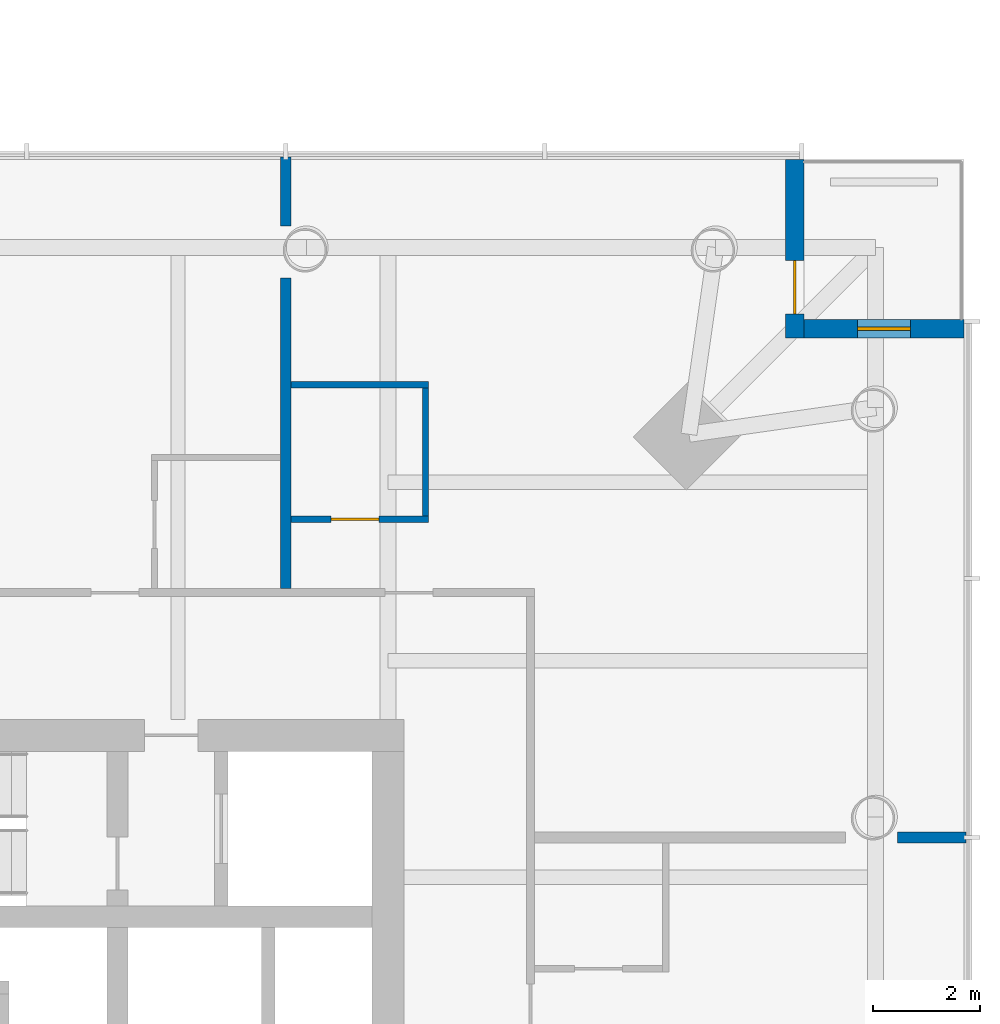
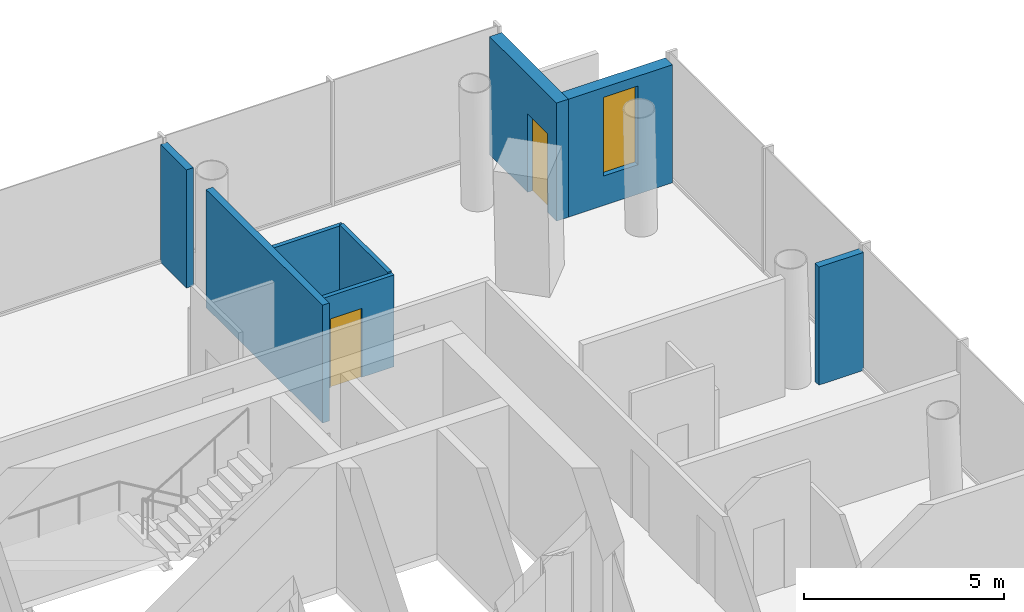
# One storey, part 16 of 26: 8 walls, 2 doors, 1 window, 3 openings.
"""IFC4 building model written with IfcOpenShell, lengths in metres."""

from ifc_helpers import new_model, si_unit, direction, frame, frame_2d, origin, place, context, subcontext, project, spatial, rectangle, extrude, material, layer, layer_set, type_object, element, fill, save


model = new_model("IFC4")

# Units and contexts
model_context = context("Model", 3, precision=1e-05, world=origin(), true_north=direction((0.0, 1.0)))
body_context = subcontext(model_context, "Body", "Model", "MODEL_VIEW")
ifc_project = project(units=[si_unit("LENGTHUNIT", "METRE"), si_unit("AREAUNIT", "SQUARE_METRE"), si_unit("VOLUMEUNIT", "CUBIC_METRE"), si_unit("PLANEANGLEUNIT", "RADIAN"), si_unit("MASSUNIT", "GRAM", prefix="KILO")], contexts=[model_context])

# Site, building, storey
site_placement = place(None, origin())
site = spatial("IfcSite", under=ifc_project, at=site_placement, CompositionType="ELEMENT")
building_placement = place(site_placement, origin())
building = spatial("IfcBuilding", under=site, at=building_placement, Name="Ostroluk Exchange", CompositionType="ELEMENT")
storey_placement = place(building_placement, frame((0.0, 0.0, 36.199951171875)))
storey = spatial("IfcBuildingStorey", under=building, at=storey_placement, Name="L08", CompositionType="ELEMENT", Elevation=36.199951171875)

# Wall, opening, door
ifc_material_1 = material(Name="Limestone", Category="masonry")
ifc_layer_1 = layer(ifc_material_1, 0.35009765625)
ifc_layer_set_1 = layer_set([ifc_layer_1], Name="Limestone facade wall 350")
wall_type_1 = type_object("IfcWallType", Name="Limestone facade wall 350", PredefinedType="SOLIDWALL", material=ifc_layer_set_1)
wall_1_placement = place(storey_placement, frame((133.824951171875, 66.0, 0.0), z_axis=(0.0, 0.0, 1.0), x_axis=(0.0, -1.0, 0.0)))
wall_1 = element("IfcWall", 1, at=wall_1_placement, inside=storey, type_object=wall_type_1, Name="Hotel tower NE corner wall L08 a", PredefinedType="SOLIDWALL", context=body_context, shape_type="SweptSolid", body=[
    extrude(rectangle(XDim=3.35009765625, YDim=0.35009765625, at=frame_2d((1.675048828125, 0.0))), origin(), (0.0, 0.0, 1.0), 3.60009765625),
])
opening_1_placement = place(wall_1_placement, frame((1.89990234375, 0.0, 0.0)))
opening_1 = element("IfcOpeningElement", 2, at=opening_1_placement, cuts=wall_1, Name="Opening D-B1", PredefinedType="OPENING", context=body_context, shape_type="SweptSolid", body=[
    extrude(rectangle(XDim=1.0, YDim=2.39990234375, at=frame_2d((0.5, 1.199951171875))), frame((0.0, 0.18505859375, 0.0), z_axis=(0.0, -1.0, 0.0), x_axis=(1.0, 0.0, 0.0)), (0.0, 0.0, 1.0), 0.3701171875),
])
ifc_material_2 = material(Name="Bronze framed glazed door", Category="aluminium")
door_type_1 = type_object("IfcDoorType", Name="Balcony door 1000 x 2400", OperationType="SINGLE_SWING_LEFT", PredefinedType="DOOR", material=ifc_material_2)
door_1_placement = place(opening_1_placement, origin())
door_1 = element("IfcDoor", 3, at=door_1_placement, inside=storey, type_object=door_type_1, Name="Hotel tower NE balcony door L08", OperationType="SINGLE_SWING_RIGHT", OverallHeight=2.39990234375, OverallWidth=1.0, PredefinedType="DOOR", context=body_context, shape_type="SweptSolid", body=[
    extrude(rectangle(XDim=1.0, YDim=2.39990234375, at=frame_2d((0.5, 1.199951171875))), frame((0.0, 0.02490234375, 0.0), z_axis=(0.0, -1.0, 0.0), x_axis=(1.0, 0.0, 0.0)), (0.0, 0.0, 1.0), 0.050048828125),
])
fill(opening_1, door_1)

# Wall, opening, window
wall_2_placement = place(storey_placement, frame((134.0, 62.824951171875, 0.0), z_axis=(0.0, 0.0, 1.0), x_axis=(1.0, 0.0, 0.0)))
wall_2 = element("IfcWall", 4, at=wall_2_placement, inside=storey, type_object=wall_type_1, Name="Hotel tower NE corner wall L08 b", PredefinedType="SOLIDWALL", context=body_context, shape_type="SweptSolid", body=[
    extrude(rectangle(XDim=3.0, YDim=0.35009765625, at=frame_2d((1.5, 0.0))), origin(), (0.0, 0.0, 1.0), 3.60009765625),
])
opening_2_placement = place(wall_2_placement, frame((1.0, 0.0, 0.89990234375)))
opening_2 = element("IfcOpeningElement", 5, at=opening_2_placement, cuts=wall_2, Name="Opening WN-L3", PredefinedType="OPENING", context=body_context, shape_type="SweptSolid", body=[
    extrude(rectangle(XDim=1.0, YDim=2.39990234375, at=frame_2d((0.5, 1.199951171875))), frame((0.0, 0.18505859375, 0.0), z_axis=(0.0, -1.0, 0.0), x_axis=(1.0, 0.0, 0.0)), (0.0, 0.0, 1.0), 0.3701171875),
])
ifc_material_3 = material(Name="Laminated clear glass", Category="glass")
window_type = type_object("IfcWindowType", Name="Hotel lancet window 1000 x 2400", PartitioningType="SINGLE_PANEL", PredefinedType="WINDOW", material=ifc_material_3)
window_placement = place(opening_2_placement, origin())
window = element("IfcWindow", 6, at=window_placement, inside=storey, type_object=window_type, Name="Hotel tower NE lancet window L08", OverallHeight=2.39990234375, OverallWidth=1.0, PartitioningType="SINGLE_PANEL", PredefinedType="WINDOW", context=body_context, shape_type="SweptSolid", body=[
    extrude(rectangle(XDim=1.0, YDim=2.39990234375, at=frame_2d((0.5, 1.199951171875))), frame((0.0, 0.030029296875, 0.0), z_axis=(0.0, -1.0, 0.0), x_axis=(1.0, 0.0, 0.0)), (0.0, 0.0, 1.0), 0.06005859375),
])
fill(opening_2, window)

# Wall, opening, door
ifc_material_4 = material(Name="Gypsum plasterboard partition, moisture resistant", Category="gypsum")
ifc_layer_2 = layer(ifc_material_4, 0.1201171875)
ifc_layer_set_2 = layer_set([ifc_layer_2], Name="Plasterboard en-suite wall 120")
wall_type_2 = type_object("IfcWallType", Name="Plasterboard en-suite wall 120", PredefinedType="PARTITIONING", material=ifc_layer_set_2)
wall_3_placement = place(storey_placement, frame((124.3857421875, 59.25, 0.0), z_axis=(0.0, 0.0, 1.0), x_axis=(1.0, 0.0, 0.0)))
wall_3 = element("IfcWall", 7, at=wall_3_placement, inside=storey, type_object=wall_type_2, Name="En-suite wall", PredefinedType="PARTITIONING", context=body_context, shape_type="SweptSolid", body=[
    extrude(rectangle(XDim=2.580078125, YDim=0.1201171875, at=frame_2d((1.2900390625, 0.0))), origin(), (0.0, 0.0, 1.0), 2.800048828125),
])
opening_3_placement = place(wall_3_placement, frame((0.75, 0.0, 0.0)))
opening_3 = element("IfcOpeningElement", 8, at=opening_3_placement, cuts=wall_3, Name="Opening D-02", PredefinedType="OPENING", context=body_context, shape_type="SweptSolid", body=[
    extrude(rectangle(XDim=0.89990234375, YDim=2.10009765625, at=frame_2d((0.449951171875, 1.050048828125))), frame((0.0, 0.070068359375, 0.0), z_axis=(0.0, -1.0, 0.0), x_axis=(1.0, 0.0, 0.0)), (0.0, 0.0, 1.0), 0.14013671875),
])
ifc_material_5 = material(Name="Timber", Category="wood")
door_type_2 = type_object("IfcDoorType", Name="En-suite door 900 x 2100", OperationType="SINGLE_SWING_LEFT", PredefinedType="DOOR", material=ifc_material_5)
door_2_placement = place(opening_3_placement, origin())
door_2 = element("IfcDoor", 9, at=door_2_placement, inside=storey, type_object=door_type_2, Name="En-suite door 804", OperationType="SINGLE_SWING_LEFT", OverallHeight=2.10009765625, OverallWidth=0.89990234375, PredefinedType="DOOR", context=body_context, shape_type="SweptSolid", body=[
    extrude(rectangle(XDim=0.89990234375, YDim=2.10009765625, at=frame_2d((0.449951171875, 1.050048828125))), frame((0.0, 0.02490234375, 0.0), z_axis=(0.0, -1.0, 0.0), x_axis=(1.0, 0.0, 0.0)), (0.0, 0.0, 1.0), 0.050048828125),
])
fill(opening_3, door_2)

# Walls
wall_4_placement = place(storey_placement, frame((124.3857421875, 61.77001953125, 0.0), z_axis=(0.0, 0.0, 1.0), x_axis=(1.0, 0.0, 0.0)))
element("IfcWall", 10, at=wall_4_placement, inside=storey, type_object=wall_type_2, Name="En-suite wall", PredefinedType="PARTITIONING", context=body_context, shape_type="SweptSolid", body=[
    extrude(rectangle(XDim=2.580078125, YDim=0.1201171875, at=frame_2d((1.2900390625, 0.0))), origin(), (0.0, 0.0, 1.0), 2.800048828125),
])
wall_5_placement = place(storey_placement, frame((126.90576171875, 59.31005859375, 0.0), z_axis=(0.0, 0.0, 1.0), x_axis=(0.0, 1.0, 0.0)))
element("IfcWall", 11, at=wall_5_placement, inside=storey, type_object=wall_type_2, Name="En-suite wall", PredefinedType="PARTITIONING", context=body_context, shape_type="SweptSolid", body=[
    extrude(rectangle(XDim=2.39990234375, YDim=0.1201171875, at=frame_2d((1.199951171875, 0.0))), origin(), (0.0, 0.0, 1.0), 2.84716796875),
])
ifc_material_6 = material(Name="Gypsum plasterboard partition", Category="gypsum")
ifc_layer_3 = layer(ifc_material_6, 0.199951171875)
ifc_layer_set_3 = layer_set([ifc_layer_3], Name="Plasterboard party wall 200")
wall_type_3 = type_object("IfcWallType", Name="Plasterboard party wall 200", PredefinedType="PARTITIONING", material=ifc_layer_set_3)
wall_6_placement = place(storey_placement, frame((135.751220703125, 53.28564453125, 0.0), z_axis=(0.0, 0.0, 1.0), x_axis=(1.0, 0.0, 0.0)))
element("IfcWall", 12, at=wall_6_placement, inside=storey, type_object=wall_type_3, Name="Party wall", PredefinedType="PARTITIONING", context=body_context, shape_type="SweptSolid", body=[
    extrude(rectangle(XDim=1.288818359375, YDim=0.199951171875, at=frame_2d((0.64453125, 0.0))), origin(), (0.0, 0.0, 1.0), 3.60009765625),
])
wall_7_placement = place(storey_placement, frame((124.28564453125, 57.949951171875, 0.0), z_axis=(0.0, 0.0, 1.0), x_axis=(0.0, 1.0, 0.0)))
element("IfcWall", 13, at=wall_7_placement, inside=storey, type_object=wall_type_3, Name="Party wall", PredefinedType="PARTITIONING", context=body_context, shape_type="SweptSolid", body=[
    extrude(rectangle(XDim=5.824462890625, YDim=0.199951171875, at=frame_2d((2.912109375, 0.0))), origin(), (0.0, 0.0, 1.0), 3.60009765625),
])
wall_8_placement = place(storey_placement, frame((124.28564453125, 64.751220703125, 0.0), z_axis=(0.0, 0.0, 1.0), x_axis=(0.0, 1.0, 0.0)))
element("IfcWall", 14, at=wall_8_placement, inside=storey, type_object=wall_type_3, Name="Party wall", PredefinedType="PARTITIONING", context=body_context, shape_type="SweptSolid", body=[
    extrude(rectangle(XDim=1.288818359375, YDim=0.199951171875, at=frame_2d((0.64453125, 0.0))), origin(), (0.0, 0.0, 1.0), 3.60009765625),
])

save(model, "model.ifc")
